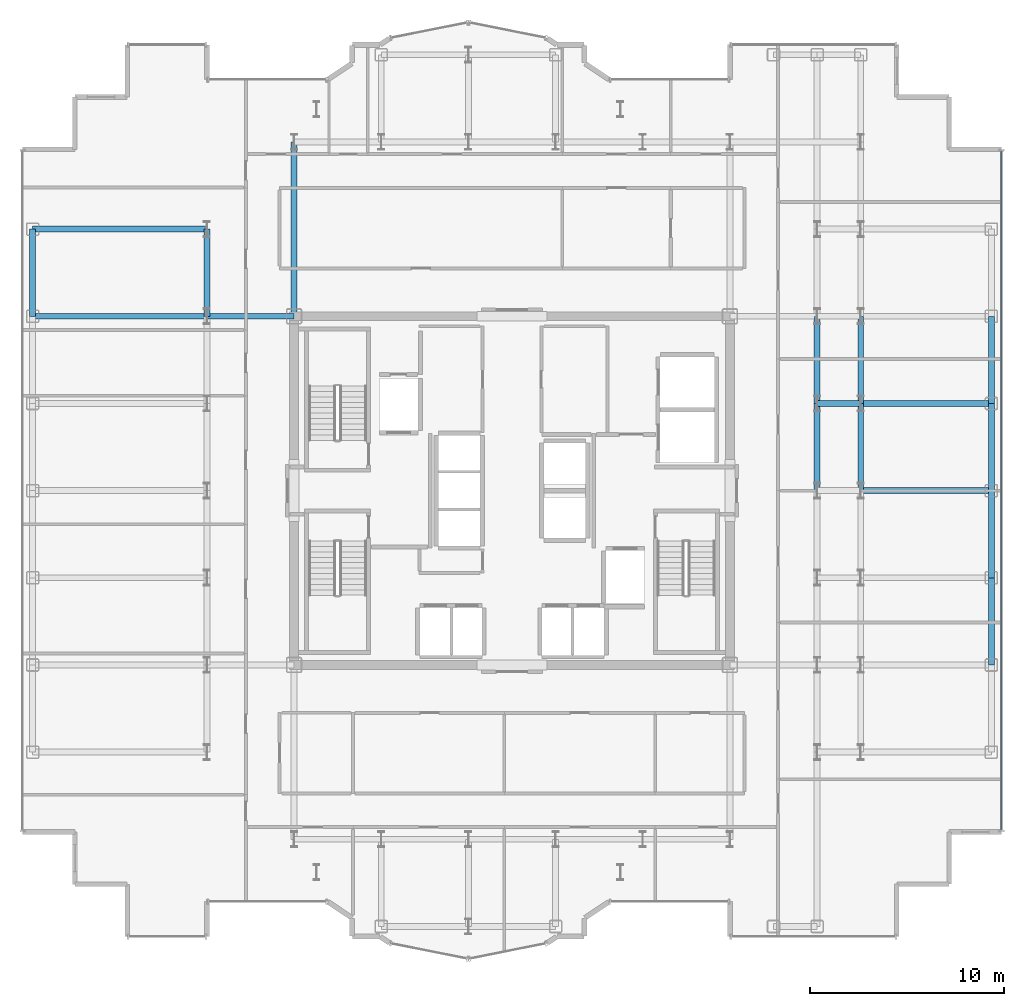
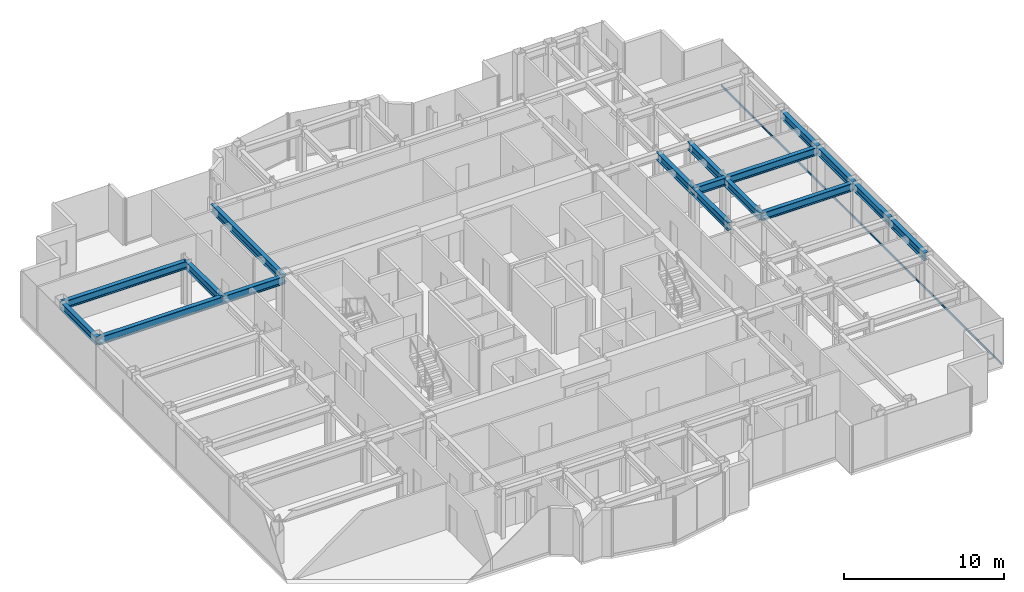
# One storey, part 7 of 20: 17 beams, 1 member, 1 element without a shape of its own.
"""IFC4 building model written with IfcOpenShell, lengths in metres."""

import ifcopenshell
import ifcopenshell.guid

model = None  # the IFC model being written
_history = None  # IfcOwnerHistory: only IFC2X3 demands one
_inside = {}  # id of a spatial element -> (the spatial element, [elements in it])
_under = {}  # id of a project, library or spatial element -> (it, [spatial elements below it])
_declared = {}  # id of a project -> (the project, [libraries it declares])
_typed = {}  # id of a type object -> (the type object, [elements of that type])
_made_of = {}  # id of a material, layer set ... -> (it, [elements and type objects made of it])


def new_model(schema):
    """Start an empty IFC model of exactly this schema.

    Asked for "IFC4X3", IfcOpenShell would pick the latest addendum, in which some entities
    have other attributes; the version numbers below select the first issue.
    IFC2X3 requires an IfcOwnerHistory on every rooted entity: one is made here for all.
    """
    global model, _history
    if schema == "IFC4X3":
        model = ifcopenshell.file(schema_version=(4, 3, 0, 0))
    else:
        model = ifcopenshell.file(schema=schema)
    _inside.clear()
    _under.clear()
    _declared.clear()
    _typed.clear()
    _made_of.clear()
    _history = None
    if model.schema == "IFC2X3":
        org = make("IfcOrganization", Name="unknown")
        user = make(
            "IfcPersonAndOrganization",
            ThePerson=make("IfcPerson", FamilyName="unknown"),
            TheOrganization=org,
        )
        app = make(
            "IfcApplication",
            ApplicationDeveloper=org,
            Version="unknown",
            ApplicationFullName="unknown",
            ApplicationIdentifier="unknown",
        )
        _history = make(
            "IfcOwnerHistory",
            OwningUser=user,
            OwningApplication=app,
            ChangeAction="ADDED",
            CreationDate=0,
        )
    return model


def make(cls, **values):
    """One entity of the class cls with the attributes given. An attribute that is None is left unset."""
    return model.create_entity(
        cls, **{name: value for name, value in values.items() if value is not None}
    )


def rooted(cls, **values):
    """An entity with a GlobalId (a new one), such as an element, a storey or a relation."""
    return make(cls, GlobalId=ifcopenshell.guid.new(), OwnerHistory=_history, **values)


def si_unit(unit_type, name, prefix=None):
    """IfcSIUnit, for example si_unit("LENGTHUNIT", "METRE", prefix="MILLI")."""
    return make("IfcSIUnit", UnitType=unit_type, Prefix=prefix, Name=name)


def assignment(units):
    """IfcUnitAssignment: the units of a project."""
    return None if units is None else make("IfcUnitAssignment", Units=units)


def point(xyz):
    """IfcCartesianPoint."""
    return None if xyz is None else make("IfcCartesianPoint", Coordinates=xyz)


def direction(xyz):
    """IfcDirection."""
    return None if xyz is None else make("IfcDirection", DirectionRatios=xyz)


def frame(location, z_axis=None, x_axis=None):
    """IfcAxis2Placement3D, a coordinate frame: its origin and axes. An axis left out is left unset."""
    return make(
        "IfcAxis2Placement3D",
        Location=point(location),
        Axis=direction(z_axis),
        RefDirection=direction(x_axis),
    )


def frame_2d(location, x_axis=None):
    """IfcAxis2Placement2D, a coordinate frame in the plane: its origin and x axis."""
    return make(
        "IfcAxis2Placement2D", Location=point(location), RefDirection=direction(x_axis)
    )


def origin():
    """The frame at (0, 0, 0) with its axes left unset."""
    return frame((0.0, 0.0, 0.0))


def origin_2d():
    """The frame at (0, 0) in the plane with its x axis left unset."""
    return frame_2d((0.0, 0.0))


def place(relative_to, where):
    """IfcLocalPlacement: puts the frame where relative to a parent placement (None: the world)."""
    return make(
        "IfcLocalPlacement", PlacementRelTo=relative_to, RelativePlacement=where
    )


def context(
    kind, dimensions, precision=None, world=None, true_north=None, identifier=None
):
    """IfcGeometricRepresentationContext, for example the 3D "Model" context."""
    return make(
        "IfcGeometricRepresentationContext",
        ContextIdentifier=identifier,
        ContextType=kind,
        CoordinateSpaceDimension=dimensions,
        Precision=precision,
        WorldCoordinateSystem=world,
        TrueNorth=true_north,
    )


def subcontext(parent, identifier, kind, view, scale=None):
    """IfcGeometricRepresentationSubContext, for example "Body" below "Model"."""
    return make(
        "IfcGeometricRepresentationSubContext",
        ContextIdentifier=identifier,
        ContextType=kind,
        ParentContext=parent,
        TargetScale=scale,
        TargetView=view,
    )


def project(units=None, contexts=None):
    """IfcProject with its units and contexts."""
    return rooted(
        "IfcProject",
        Name="project",
        RepresentationContexts=contexts,
        UnitsInContext=assignment(units),
    )


def spatial(cls, under=None, at=None, **own):
    """A site, building, storey or space (cls), placed at a placement, below another one or the project."""
    s = rooted(cls, ObjectPlacement=at, **own)
    if under is not None:
        _under.setdefault(under.id(), (under, []))[1].append(s)
    return s


def profile(cls, at=None, kind="AREA", **sizes):
    """A parametric profile (cls). Its sizes go by their IFC names, for example OverallWidth=200.0."""
    return make(cls, ProfileType=kind, Position=at, **sizes)


def hollow_rectangle(**sizes):
    """IfcRectangleHollowProfileDef."""
    return profile("IfcRectangleHollowProfileDef", **sizes)


def i_section(**sizes):
    """IfcIShapeProfileDef."""
    return profile("IfcIShapeProfileDef", **sizes)


def extrude(swept, where, along, depth):
    """IfcExtrudedAreaSolid: the profile swept, set in the frame where, extruded along a direction by depth."""
    return make(
        "IfcExtrudedAreaSolid",
        SweptArea=swept,
        Position=where,
        ExtrudedDirection=direction(along),
        Depth=depth,
    )


def shape(context_of_items, identifier, shape_type, items):
    """IfcShapeRepresentation: the items that make up one representation, for example the "Body"."""
    return make(
        "IfcShapeRepresentation",
        ContextOfItems=context_of_items,
        RepresentationIdentifier=identifier,
        RepresentationType=shape_type,
        Items=items,
    )


def source(mapping_origin, context_of_items, identifier, shape_type, items):
    """IfcRepresentationMap: a shape defined once, which mapped items show again and again."""
    return make(
        "IfcRepresentationMap",
        MappingOrigin=mapping_origin,
        MappedRepresentation=shape(context_of_items, identifier, shape_type, items),
    )


def transform(
    local_origin,
    x_axis=None,
    y_axis=None,
    z_axis=None,
    scale=None,
    scale2=None,
    scale3=None,
    uniform=True,
):
    """IfcCartesianTransformationOperator3D, or its non-uniform kind. x_axis, y_axis, z_axis: its Axis1, 2, 3."""
    if uniform:
        return make(
            "IfcCartesianTransformationOperator3D",
            Axis1=direction(x_axis),
            Axis2=direction(y_axis),
            LocalOrigin=point(local_origin),
            Scale=scale,
            Axis3=direction(z_axis),
        )
    return make(
        "IfcCartesianTransformationOperator3DnonUniform",
        Axis1=direction(x_axis),
        Axis2=direction(y_axis),
        LocalOrigin=point(local_origin),
        Scale=scale,
        Axis3=direction(z_axis),
        Scale2=scale2,
        Scale3=scale3,
    )


def mapped(mapping_source, mapping_target):
    """IfcMappedItem: shows the shape of a source again, moved by a transform."""
    return make(
        "IfcMappedItem", MappingSource=mapping_source, MappingTarget=mapping_target
    )


def material(Name=None, Category=None):
    """IfcMaterial."""
    return make("IfcMaterial", Name=Name, Category=Category)


def layer(
    of_material, thickness, ventilated=None, Name=None, Category=None, Priority=None
):
    """IfcMaterialLayer: one layer of a wall or slab, of a material (None: an air gap)."""
    return make(
        "IfcMaterialLayer",
        Material=of_material,
        LayerThickness=thickness,
        IsVentilated=ventilated,
        Name=Name,
        Category=Category,
        Priority=Priority,
    )


def layer_set(layers, Name=None):
    """IfcMaterialLayerSet."""
    return make("IfcMaterialLayerSet", MaterialLayers=layers, LayerSetName=Name)


def material_profile(
    of_material, cross_section, Name=None, Category=None, Priority=None
):
    """IfcMaterialProfile: a cross section and its material."""
    return make(
        "IfcMaterialProfile",
        Name=Name,
        Material=of_material,
        Profile=cross_section,
        Priority=Priority,
        Category=Category,
    )


def profile_set(profiles, Name=None, composite=None):
    """IfcMaterialProfileSet."""
    return make(
        "IfcMaterialProfileSet",
        Name=Name,
        MaterialProfiles=profiles,
        CompositeProfile=composite,
    )


def made_of(thing, what):
    """Note that an element or type object is made of a material, layer set ...; save() writes the relation."""
    if what is not None:
        _made_of.setdefault(what.id(), (what, []))[1].append(thing)
    return thing


def type_object(cls, material=None, **own):
    """A type object (cls), such as IfcWallType, which elements share."""
    return made_of(rooted(cls, **own), material)


def element(
    cls,
    number,
    at=None,
    inside=None,
    cuts=None,
    type_object=None,
    material=None,
    context=None,
    identifier="Body",
    shape_type=None,
    held_by="IfcProductDefinitionShape",
    body=None,
    shapes=None,
    **own,
):
    """One element of the class cls, such as IfcWall. Its Tag is "e" and its number.

    at: its placement. inside: the storey or other place that contains it. cuts: it is an
    opening in that element (IfcRelVoidsElement). A single representation is given by context,
    identifier, shape_type and body (its items); several are given by shapes. held_by: the class
    of the entity that holds the representations. save() writes the other relations.
    """
    e = rooted(cls, Tag="e%d" % number, ObjectPlacement=at, **own)
    if body is not None:
        shapes = [shape(context, identifier, shape_type, body)]
    if shapes is not None:
        e.Representation = make(held_by, Representations=shapes)
    if inside is not None:
        _inside.setdefault(inside.id(), (inside, []))[1].append(e)
    if cuts is not None:
        rooted(
            "IfcRelVoidsElement", RelatingBuildingElement=cuts, RelatedOpeningElement=e
        )
    if type_object is not None:
        _typed.setdefault(type_object.id(), (type_object, []))[1].append(e)
    return made_of(e, material)


def aggregate(whole, parts):
    """IfcRelAggregates: a whole, such as a stair, and the parts it consists of."""
    return rooted("IfcRelAggregates", RelatingObject=whole, RelatedObjects=parts)


def save(model, path):
    """Write the relations noted so far, then the file.

    IfcRelAggregates (storeys below a building ...), IfcRelContainedInSpatialStructure (elements
    in a storey), IfcRelDefinesByType, IfcRelAssociatesMaterial and IfcRelDeclares: one each for
    every whole, place, type object, material and project.
    """
    for whole, parts in _under.values():
        aggregate(whole, parts)
    for where, things in _inside.values():
        rooted(
            "IfcRelContainedInSpatialStructure",
            RelatedElements=things,
            RelatingStructure=where,
        )
    for kind, things in _typed.values():
        rooted("IfcRelDefinesByType", RelatedObjects=things, RelatingType=kind)
    for what, things in _made_of.values():
        rooted("IfcRelAssociatesMaterial", RelatedObjects=things, RelatingMaterial=what)
    for by, libraries in _declared.values():
        rooted("IfcRelDeclares", RelatingContext=by, RelatedDefinitions=libraries)
    model.write(path)


model = new_model("IFC4")

# Units and contexts
model_context = context("Model", 3, precision=1e-05, world=origin(), true_north=direction((0.0, 1.0)))
body_context = subcontext(model_context, "Body", "Model", "MODEL_VIEW")
ifc_project = project(units=[si_unit("LENGTHUNIT", "METRE"), si_unit("AREAUNIT", "SQUARE_METRE"), si_unit("VOLUMEUNIT", "CUBIC_METRE"), si_unit("PLANEANGLEUNIT", "RADIAN"), si_unit("MASSUNIT", "GRAM", prefix="KILO")], contexts=[model_context])

# Site, building, storey
site_placement = place(None, origin())
site = spatial("IfcSite", under=ifc_project, at=site_placement, CompositionType="ELEMENT")
building_placement = place(site_placement, origin())
building = spatial("IfcBuilding", under=site, at=building_placement, Name="Nefas-Gora Pilgrimage Tower", CompositionType="ELEMENT")
storey_placement = place(building_placement, frame((0.0, 0.0, 214.199951171875)))
storey = spatial("IfcBuildingStorey", under=building, at=storey_placement, Name="L53", CompositionType="ELEMENT", Elevation=214.199951171875)

# Beams
ifc_material_1 = material(Name="Steel S355", Category="steel")
ifc_material_profile_1 = material_profile(ifc_material_1, i_section(OverallWidth=0.300048828125, OverallDepth=0.60009765625, WebThickness=0.015380859375, FlangeThickness=0.030029296875, FilletRadius=0.027099609375, at=origin_2d()), Name="HEB 600")
ifc_profile_set_1 = profile_set([ifc_material_profile_1], Name="Steel S355")
beam_type_1 = type_object("IfcBeamType", Name="BM-SPN-HEB450", PredefinedType="SPANDREL", material=ifc_profile_set_1)
shared_shape_1 = source(origin(), body_context, "Body", "SweptSolid", [
    extrude(i_section(OverallWidth=0.300048828125, OverallDepth=0.60009765625, WebThickness=0.015380859375, FlangeThickness=0.030029296875, FilletRadius=0.027099609375, at=origin_2d()), origin(), (0.0, 0.0, 1.0), 4.5),
])
for number, where, z_axis, x_axis, name in (
    (1, (-24.75, 9.0, 3.25), (0.0, 1.0, 0.0), (-1.0, 0.0, 0.0), "L53 SP-03 beam"),
    (2, (24.75, -9.0, 3.25), (0.0, 1.0, 0.0), (-1.0, 0.0, 0.0), "L53 SP-03 beam"),
    (3, (24.75, -4.5, 3.25), (0.0, 1.0, 0.0), (-1.0, 0.0, 0.0), "L53 SP-03 beam"),
    (4, (24.75, 0.0, 3.25), (0.0, 1.0, 0.0), (-1.0, 0.0, 0.0), "L53 SP-03 beam"),
    (5, (24.75, 4.5, 3.25), (0.0, 1.0, 0.0), (-1.0, 0.0, 0.0), "L53 SP-03 beam"),
):
    element("IfcBeam", number, at=place(storey_placement, frame(where, z_axis=z_axis, x_axis=x_axis)), inside=storey, type_object=beam_type_1, Name=name, PredefinedType="SPANDREL", context=body_context, shape_type="MappedRepresentation", body=[
        mapped(shared_shape_1, transform((0.0, 0.0, 0.0), x_axis=(1.0, 0.0, 0.0), y_axis=(0.0, 1.0, 0.0), z_axis=(0.0, 0.0, 1.0), scale=1.0)),
    ])
ifc_material_profile_2 = material_profile(ifc_material_1, i_section(OverallWidth=0.300048828125, OverallDepth=0.60009765625, WebThickness=0.015380859375, FlangeThickness=0.030029296875, FilletRadius=0.027099609375, at=origin_2d()), Name="HEB 600")
ifc_profile_set_2 = profile_set([ifc_material_profile_2], Name="Steel S355")
beam_type_2 = type_object("IfcBeamType", Name="BM-GIR-HEB600", PredefinedType="BEAM", material=ifc_profile_set_2)
shared_shape_2 = source(origin(), body_context, "Body", "SweptSolid", [
    extrude(i_section(OverallWidth=0.300048828125, OverallDepth=0.60009765625, WebThickness=0.015380859375, FlangeThickness=0.030029296875, FilletRadius=0.027099609375, at=origin_2d()), origin(), (0.0, 0.0, 1.0), 9.0),
])
for number, where, z_axis, x_axis, name in (
    (6, (-24.75, 9.0, 3.25), (1.0, 0.0, 0.0), (0.0, 1.0, 0.0), "L53 G-04 beam"),
    (7, (-24.75, 13.5, 3.25), (1.0, 0.0, 0.0), (0.0, 1.0, 0.0), "L53 G-04 beam"),
    (8, (-11.25, 9.0, 3.25), (0.0, 1.0, 0.0), (-1.0, 0.0, 0.0), "L53 G-04 beam"),
):
    element("IfcBeam", number, at=place(storey_placement, frame(where, z_axis=z_axis, x_axis=x_axis)), inside=storey, type_object=beam_type_2, Name=name, PredefinedType="BEAM", context=body_context, shape_type="MappedRepresentation", body=[
        mapped(shared_shape_2, transform((0.0, 0.0, 0.0), x_axis=(1.0, 0.0, 0.0), y_axis=(0.0, 1.0, 0.0), z_axis=(0.0, 0.0, 1.0), scale=1.0)),
    ])
shared_shape_3 = source(origin(), body_context, "Body", "SweptSolid", [
    extrude(i_section(OverallWidth=0.300048828125, OverallDepth=0.60009765625, WebThickness=0.015380859375, FlangeThickness=0.030029296875, FilletRadius=0.027099609375, at=origin_2d()), origin(), (0.0, 0.0, 1.0), 4.5),
])
for number, where, z_axis, x_axis, name in (
    (9, (-15.75, 9.0, 3.25), (0.0, 1.0, 0.0), (-1.0, 0.0, 0.0), "L53 G-04 beam"),
    (10, (-15.75, 9.0, 3.25), (1.0, 0.0, 0.0), (0.0, 1.0, 0.0), "L53 G-04 beam"),
    (11, (15.75, 0.0, 3.25), (0.0, 1.0, 0.0), (-1.0, 0.0, 0.0), "L53 G-04 beam"),
    (12, (15.75, 4.5, 3.25), (0.0, 1.0, 0.0), (-1.0, 0.0, 0.0), "L53 G-04 beam"),
    (13, (18.0, 0.0, 3.25), (0.0, 1.0, 0.0), (-1.0, 0.0, 0.0), "L53 G-04 beam"),
    (14, (18.0, 4.5, 3.25), (0.0, 1.0, 0.0), (-1.0, 0.0, 0.0), "L53 G-04 beam"),
):
    element("IfcBeam", number, at=place(storey_placement, frame(where, z_axis=z_axis, x_axis=x_axis)), inside=storey, type_object=beam_type_2, Name=name, PredefinedType="BEAM", context=body_context, shape_type="MappedRepresentation", body=[
        mapped(shared_shape_3, transform((0.0, 0.0, 0.0), x_axis=(1.0, 0.0, 0.0), y_axis=(0.0, 1.0, 0.0), z_axis=(0.0, 0.0, 1.0), scale=1.0)),
    ])
shared_shape_4 = source(origin(), body_context, "Body", "SweptSolid", [
    extrude(i_section(OverallWidth=0.300048828125, OverallDepth=0.60009765625, WebThickness=0.015380859375, FlangeThickness=0.030029296875, FilletRadius=0.027099609375, at=origin_2d()), origin(), (0.0, 0.0, 1.0), 6.75),
])
for number, where, z_axis, x_axis, name in (
    (15, (18.0, 0.0, 3.25), (1.0, 0.0, 0.0), (0.0, 1.0, 0.0), "L53 G-04 beam"),
    (16, (18.0, 4.5, 3.25), (1.0, 0.0, 0.0), (0.0, 1.0, 0.0), "L53 G-04 beam"),
):
    element("IfcBeam", number, at=place(storey_placement, frame(where, z_axis=z_axis, x_axis=x_axis)), inside=storey, type_object=beam_type_2, Name=name, PredefinedType="BEAM", context=body_context, shape_type="MappedRepresentation", body=[
        mapped(shared_shape_4, transform((0.0, 0.0, 0.0), x_axis=(1.0, 0.0, 0.0), y_axis=(0.0, 1.0, 0.0), z_axis=(0.0, 0.0, 1.0), scale=1.0)),
    ])
shared_shape_5 = source(origin(), body_context, "Body", "SweptSolid", [
    extrude(i_section(OverallWidth=0.300048828125, OverallDepth=0.60009765625, WebThickness=0.015380859375, FlangeThickness=0.030029296875, FilletRadius=0.027099609375, at=origin_2d()), origin(), (0.0, 0.0, 1.0), 2.25),
])
beam_placement = place(storey_placement, frame((15.75, 4.5, 3.25), z_axis=(1.0, 0.0, 0.0), x_axis=(0.0, 1.0, 0.0)))
element("IfcBeam", 17, at=beam_placement, inside=storey, type_object=beam_type_2, Name="L53 G-04 beam", PredefinedType="BEAM", context=body_context, shape_type="MappedRepresentation", body=[
    mapped(shared_shape_5, transform((0.0, 0.0, 0.0), x_axis=(1.0, 0.0, 0.0), y_axis=(0.0, 1.0, 0.0), z_axis=(0.0, 0.0, 1.0), scale=1.0)),
])

# Curtain wall, member
ifc_material_2 = material(Name="Dark ceramic-fritted solar-control aluminium-glass curtain wall", Category="aluminium")
ifc_layer = layer(ifc_material_2, 0.219970703125)
ifc_layer_set = layer_set([ifc_layer], Name="Dark ceramic-fritted solar-control aluminium-glass curtain wall")
curtain_wall_type = type_object("IfcCurtainWallType", Name="CW-SYS-3", PredefinedType="NOTDEFINED", material=ifc_layer_set)
curtain_wall_placement = place(storey_placement, origin())
curtain_wall = element("IfcCurtainWall", 18, at=curtain_wall_placement, inside=storey, type_object=curtain_wall_type, Name="L53 Unitised Curtain Wall CW3", PredefinedType="NOTDEFINED")
ifc_material_3 = material(Name="Anodised architectural aluminium", Category="aluminium")
ifc_material_profile_3 = material_profile(ifc_material_3, hollow_rectangle(XDim=0.080078125, YDim=0.159912109375, WallThickness=0.00439453125, InnerFilletRadius=0.00439453125, OuterFilletRadius=0.009033203125, at=origin_2d()), Name="ALU TRANSOM 80x160")
ifc_profile_set_3 = profile_set([ifc_material_profile_3], Name="Anodised architectural aluminium")
member_type = type_object("IfcMemberType", Name="CWM-TRN-3", PredefinedType="USERDEFINED", material=ifc_profile_set_3)
shared_shape_6 = source(origin(), body_context, "Body", "SweptSolid", [
    extrude(hollow_rectangle(XDim=0.080078125, YDim=0.159912109375, WallThickness=0.00439453125, InnerFilletRadius=0.00439453125, OuterFilletRadius=0.009033203125, at=origin_2d()), origin(), (0.0, 0.0, 1.0), 35.06005859375),
])
member_placement = place(storey_placement, frame((25.27001953125, -17.530029296875, 0.050048828125), z_axis=(0.0, 1.0, 0.0), x_axis=(-1.0, 0.0, 0.0)))
member = element("IfcMember", 19, at=member_placement, type_object=member_type, Name="CW3 Spandrel Transom", ObjectType="TRANSOM", PredefinedType="USERDEFINED", context=body_context, shape_type="MappedRepresentation", body=[
    mapped(shared_shape_6, transform((0.0, 0.0, 0.0), x_axis=(1.0, 0.0, 0.0), y_axis=(0.0, 1.0, 0.0), z_axis=(0.0, 0.0, 1.0), scale=1.0)),
])
aggregate(curtain_wall, [member])

save(model, "model.ifc")
